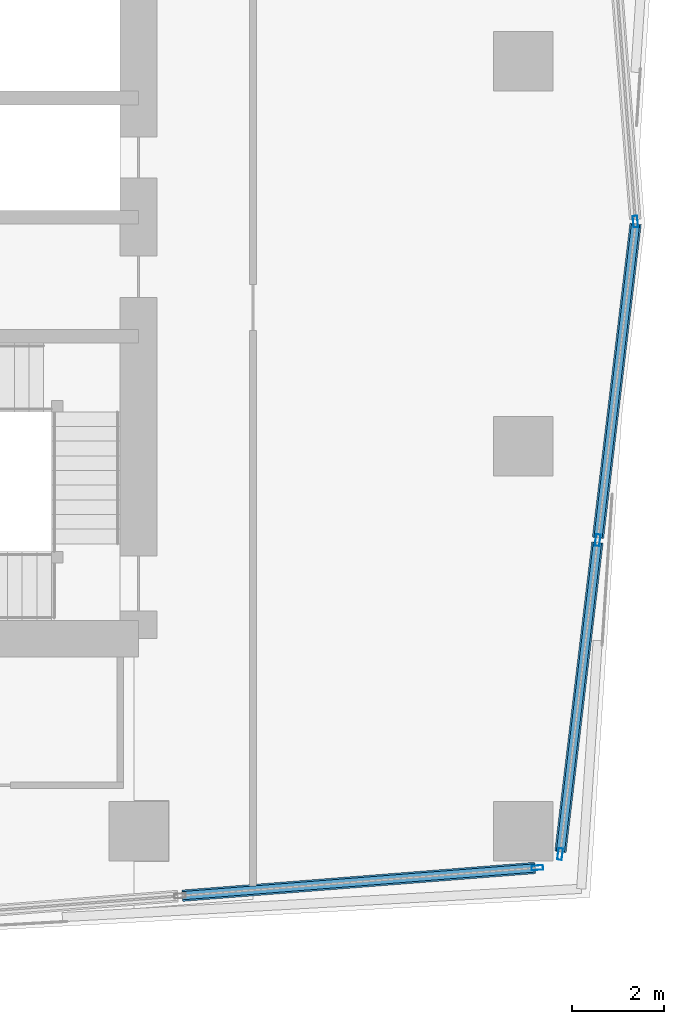
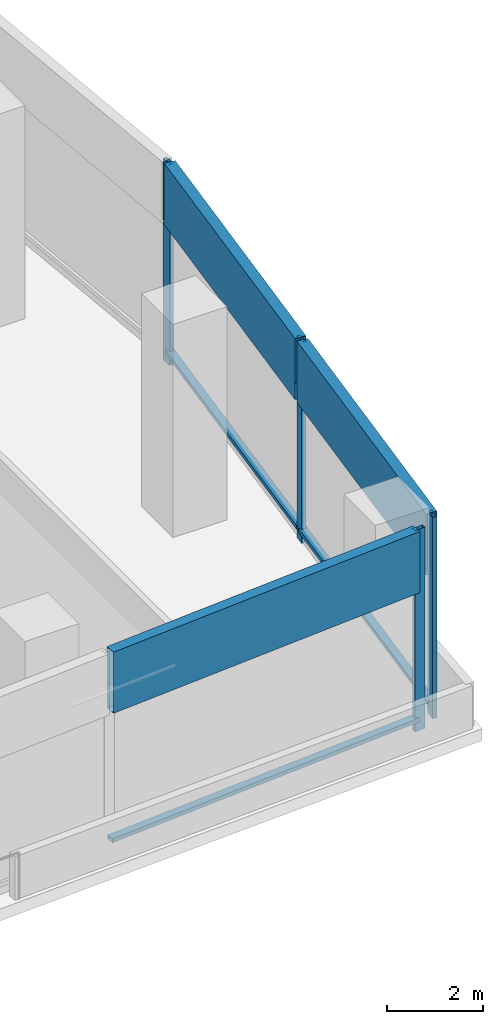
# One storey, part 6 of 22: 10 members, 3 elements without a shape of their own.
"""IFC4 building model written with IfcOpenShell, lengths in metres."""

from ifc_helpers import new_model, si_unit, direction, frame, origin, origin_2d, place, context, subcontext, project, spatial, hollow_rectangle, extrude, material, material_profile, profile_set, type_object, element, aggregate, save


model = new_model("IFC4")

# Units and contexts
model_context = context("Model", 3, precision=1e-05, world=origin(), true_north=direction((0.0, 1.0)))
body_context = subcontext(model_context, "Body", "Model", "MODEL_VIEW")
ifc_project = project(units=[si_unit("LENGTHUNIT", "METRE"), si_unit("AREAUNIT", "SQUARE_METRE"), si_unit("VOLUMEUNIT", "CUBIC_METRE"), si_unit("PLANEANGLEUNIT", "RADIAN"), si_unit("MASSUNIT", "GRAM", prefix="KILO")], contexts=[model_context])

# Site, building, storey
site_placement = place(None, origin())
site = spatial("IfcSite", under=ifc_project, at=site_placement, CompositionType="ELEMENT")
building_placement = place(site_placement, origin())
building = spatial("IfcBuilding", under=site, at=building_placement, Name="Rekha Terrace Tower", CompositionType="ELEMENT")
storey_placement = place(building_placement, frame((0.0, 0.0, 291.35009765625)))
storey = spatial("IfcBuildingStorey", under=building, at=storey_placement, Name="L74", CompositionType="ELEMENT", Elevation=291.35009765625)

# Curtain wall, member
ifc_material_1 = material(Name="Aluminium framing", Category="aluminium")
curtain_wall_type = type_object("IfcCurtainWallType", Name="CW6 observation glazing", PredefinedType="USERDEFINED", material=ifc_material_1)
curtain_wall_1_placement = place(storey_placement, origin())
curtain_wall_1 = element("IfcCurtainWall", 1, at=curtain_wall_1_placement, inside=storey, type_object=curtain_wall_type, Name="CW6 observation curtain wall", ObjectType="OBSERVATION CURTAIN WALL", PredefinedType="USERDEFINED")
ifc_material_2 = material(Name="Aluminium mullion section", Category="aluminium")
ifc_material_profile_1 = material_profile(ifc_material_2, hollow_rectangle(XDim=0.10009765625, YDim=0.25, WallThickness=0.00390625, at=origin_2d()), Name="AL RHS 100x250")
ifc_profile_set_1 = profile_set([ifc_material_profile_1], Name="Aluminium mullion section")
member_type_1 = type_object("IfcMemberType", Name="CW6 mullion RHS 100 x 250", PredefinedType="MULLION", material=ifc_profile_set_1)
member_1_placement = place(storey_placement, frame((59.106201171875, 16.0, 0.0), z_axis=(0.0, 0.0, 1.0), x_axis=(-0.078448725836, 0.996918149807, 0.0)))
member_1 = element("IfcMember", 2, at=member_1_placement, type_object=member_type_1, Name="CW6 mullion 4", PredefinedType="MULLION", context=body_context, shape_type="SweptSolid", body=[
    extrude(hollow_rectangle(XDim=0.10009765625, YDim=0.25, WallThickness=0.00390625, at=origin_2d()), origin(), (0.0, 0.0, 1.0), 5.099853515625),
])

# Curtain wall, members
curtain_wall_2_placement = place(storey_placement, origin())
curtain_wall_2 = element("IfcCurtainWall", 3, at=curtain_wall_2_placement, inside=storey, type_object=curtain_wall_type, Name="CW6 observation curtain wall", ObjectType="OBSERVATION CURTAIN WALL", PredefinedType="USERDEFINED")
member_2_placement = place(storey_placement, frame((59.602294921875, 16.298828125, 0.0), z_axis=(0.0, 0.0, 1.0), x_axis=(-0.992909886902, 0.118869493529, 0.0)))
member_2 = element("IfcMember", 4, at=member_2_placement, type_object=member_type_1, Name="CW6 mullion 1", PredefinedType="MULLION", context=body_context, shape_type="SweptSolid", body=[
    extrude(hollow_rectangle(XDim=0.10009765625, YDim=0.25, WallThickness=0.00390625, at=origin_2d()), origin(), (0.0, 0.0, 1.0), 5.099853515625),
])
member_3_placement = place(storey_placement, frame((60.422607421875, 23.151611328125, 0.0), z_axis=(0.0, 0.0, 1.0), x_axis=(-0.992909886902, 0.118869493529, 0.0)))
member_3 = element("IfcMember", 5, at=member_3_placement, type_object=member_type_1, Name="CW6 mullion 2", PredefinedType="MULLION", context=body_context, shape_type="SweptSolid", body=[
    extrude(hollow_rectangle(XDim=0.10009765625, YDim=0.25, WallThickness=0.00390625, at=origin_2d()), origin(), (0.0, 0.0, 1.0), 5.099853515625),
])

# Curtain wall, member
curtain_wall_3_placement = place(storey_placement, origin())
curtain_wall_3 = element("IfcCurtainWall", 6, at=curtain_wall_3_placement, inside=storey, type_object=curtain_wall_type, Name="CW6 observation curtain wall", ObjectType="OBSERVATION CURTAIN WALL", PredefinedType="USERDEFINED")
member_4_placement = place(storey_placement, frame((61.2451171875, 30.103759765625, 0.0), z_axis=(0.0, 0.0, 1.0), x_axis=(-0.996830141798, -0.079559213191, 0.0)))
member_4 = element("IfcMember", 7, at=member_4_placement, type_object=member_type_1, Name="CW6 mullion 1", PredefinedType="MULLION", context=body_context, shape_type="SweptSolid", body=[
    extrude(hollow_rectangle(XDim=0.10009765625, YDim=0.25, WallThickness=0.00390625, at=origin_2d()), origin(), (0.0, 0.0, 1.0), 5.099853515625),
])
aggregate(curtain_wall_3, [member_4])

# Member
ifc_material_3 = material(Name="Insulated aluminium spandrel box", Category="aluminium")
ifc_material_profile_2 = material_profile(ifc_material_3, hollow_rectangle(XDim=0.25, YDim=1.550048828125, WallThickness=0.0029296875, at=origin_2d()), Name="AL SPANDREL BOX 250x1550")
ifc_profile_set_2 = profile_set([ifc_material_profile_2], Name="Insulated aluminium spandrel box")
member_type_2 = type_object("IfcMemberType", Name="CW6 spandrel transom 250 x 1550", PredefinedType="USERDEFINED", material=ifc_profile_set_2)
member_5_placement = place(storey_placement, frame((51.356201171875, 15.39013671875, 4.324951171875), z_axis=(0.996917956308, 0.078451184767, 0.0), x_axis=(-0.078451184767, 0.996917956308, 0.0)))
member_5 = element("IfcMember", 8, at=member_5_placement, type_object=member_type_2, Name="CW6 spandrel transom 3", ObjectType="TRANSOM", PredefinedType="USERDEFINED", context=body_context, shape_type="SweptSolid", body=[
    extrude(hollow_rectangle(XDim=0.25, YDim=1.550048828125, WallThickness=0.0029296875, at=origin_2d()), origin(), (0.0, 0.0, 1.0), 7.72412109375),
])

member_6_placement = place(storey_placement, frame((59.608154296875, 16.348388671875, 4.324951171875), z_axis=(0.118881953749, 0.992908395106, 0.0), x_axis=(-0.992908395106, 0.118881953749, 0.0)))
member_6 = element("IfcMember", 9, at=member_6_placement, type_object=member_type_2, Name="CW6 spandrel transom 1", ObjectType="TRANSOM", PredefinedType="USERDEFINED", context=body_context, shape_type="SweptSolid", body=[
    extrude(hollow_rectangle(XDim=0.25, YDim=1.550048828125, WallThickness=0.0029296875, at=origin_2d()), origin(), (0.0, 0.0, 1.0), 6.8017578125),
])

member_7_placement = place(storey_placement, frame((60.4287109375, 23.201171875, 4.324951171875), z_axis=(0.118856477096, 0.992911445121, 0.0), x_axis=(-0.992911445121, 0.118856477096, 0.0)))
member_7 = element("IfcMember", 10, at=member_7_placement, type_object=member_type_2, Name="CW6 spandrel transom 2", ObjectType="TRANSOM", PredefinedType="USERDEFINED", context=body_context, shape_type="SweptSolid", body=[
    extrude(hollow_rectangle(XDim=0.25, YDim=1.550048828125, WallThickness=0.0029296875, at=origin_2d()), origin(), (0.0, 0.0, 1.0), 6.901611328125),
])

ifc_material_4 = material(Name="Aluminium transom section", Category="aluminium")
ifc_material_profile_3 = material_profile(ifc_material_4, hollow_rectangle(XDim=0.179931640625, YDim=0.10009765625, WallThickness=0.0029296875, at=origin_2d()), Name="AL RHS 180x100")
ifc_profile_set_3 = profile_set([ifc_material_profile_3], Name="Aluminium transom section")
member_type_3 = type_object("IfcMemberType", Name="CW6 transom RHS 100 x 180", PredefinedType="USERDEFINED", material=ifc_profile_set_3)
member_8_placement = place(storey_placement, frame((51.356201171875, 15.39013671875, 0.2998046875), z_axis=(0.996917956308, 0.078451184767, 0.0), x_axis=(-0.078451184767, 0.996917956308, 0.0)))
member_8 = element("IfcMember", 11, at=member_8_placement, type_object=member_type_3, Name="CW6 transom 3.2", ObjectType="TRANSOM", PredefinedType="USERDEFINED", context=body_context, shape_type="SweptSolid", body=[
    extrude(hollow_rectangle(XDim=0.179931640625, YDim=0.10009765625, WallThickness=0.0029296875, at=origin_2d()), origin(), (0.0, 0.0, 1.0), 7.72412109375),
])

aggregate(curtain_wall_1, [member_1, member_8, member_5])

member_9_placement = place(storey_placement, frame((59.608154296875, 16.348388671875, 0.2998046875), z_axis=(0.118881953749, 0.992908395106, 0.0), x_axis=(-0.992908395106, 0.118881953749, 0.0)))
member_9 = element("IfcMember", 12, at=member_9_placement, type_object=member_type_3, Name="CW6 transom 1.2", ObjectType="TRANSOM", PredefinedType="USERDEFINED", context=body_context, shape_type="SweptSolid", body=[
    extrude(hollow_rectangle(XDim=0.179931640625, YDim=0.10009765625, WallThickness=0.0029296875, at=origin_2d()), origin(), (0.0, 0.0, 1.0), 6.8017578125),
])

member_10_placement = place(storey_placement, frame((60.4287109375, 23.201171875, 0.2998046875), z_axis=(0.118856477096, 0.992911445121, 0.0), x_axis=(-0.992911445121, 0.118856477096, 0.0)))
member_10 = element("IfcMember", 13, at=member_10_placement, type_object=member_type_3, Name="CW6 transom 2.2", ObjectType="TRANSOM", PredefinedType="USERDEFINED", context=body_context, shape_type="SweptSolid", body=[
    extrude(hollow_rectangle(XDim=0.179931640625, YDim=0.10009765625, WallThickness=0.0029296875, at=origin_2d()), origin(), (0.0, 0.0, 1.0), 6.901611328125),
])

aggregate(curtain_wall_2, [member_2, member_3, member_9, member_6, member_10, member_7])

save(model, "model.ifc")
